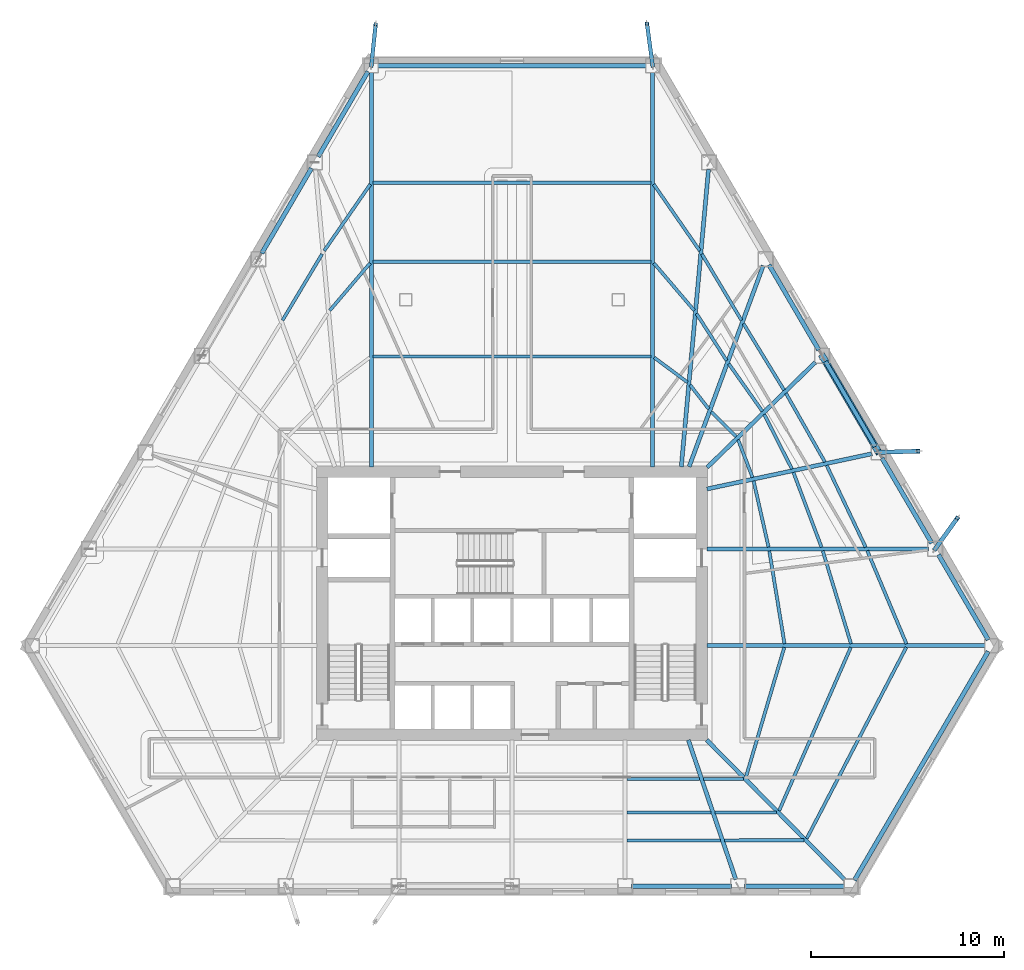
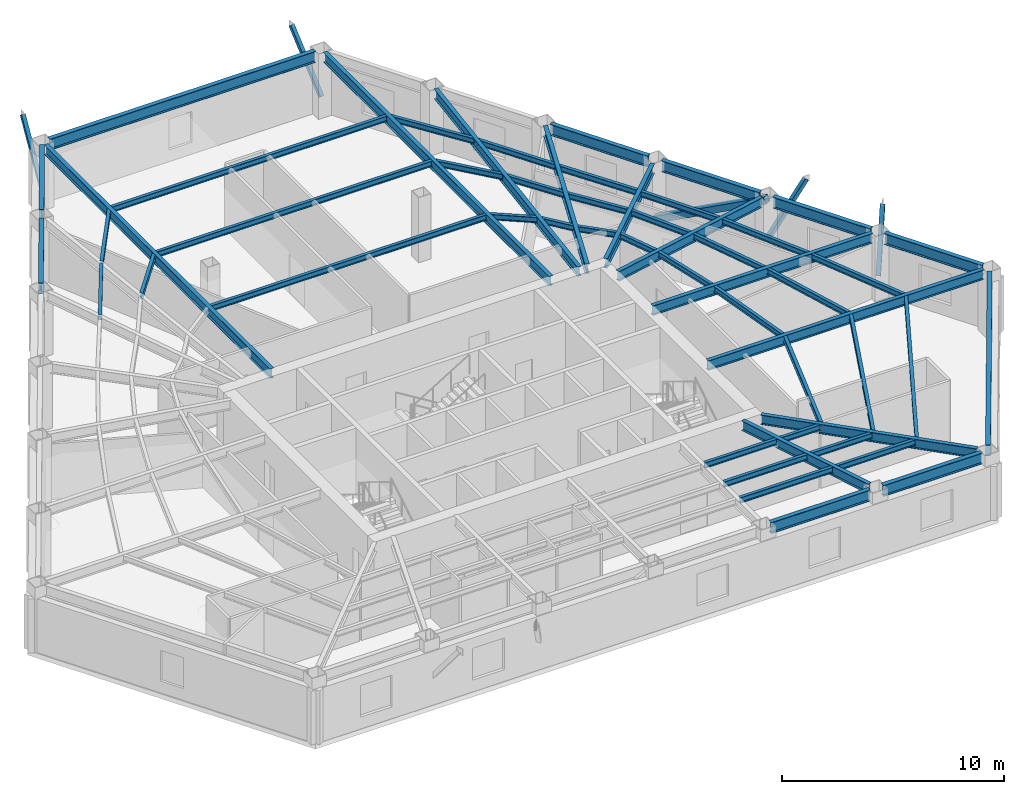
# One storey, part 2 of 13: 53 beams, 5 members.
"""IFC4 building model written with IfcOpenShell, lengths in metres."""

from ifc_helpers import new_model, si_unit, direction, frame, origin, origin_2d, place, context, subcontext, project, spatial, hollow_rectangle, i_section, extrude, material, material_profile, profile_set, type_object, element, save


model = new_model("IFC4")

# Units and contexts
model_context = context("Model", 3, precision=1e-05, world=origin(), true_north=direction((0.0, 1.0)))
body_context = subcontext(model_context, "Body", "Model", "MODEL_VIEW")
ifc_project = project(units=[si_unit("LENGTHUNIT", "METRE"), si_unit("AREAUNIT", "SQUARE_METRE"), si_unit("VOLUMEUNIT", "CUBIC_METRE"), si_unit("PLANEANGLEUNIT", "RADIAN"), si_unit("MASSUNIT", "GRAM", prefix="KILO")], contexts=[model_context])

# Site, building, storey
site_placement = place(None, origin())
site = spatial("IfcSite", under=ifc_project, at=site_placement, CompositionType="ELEMENT")
building_placement = place(site_placement, origin())
building = spatial("IfcBuilding", under=site, at=building_placement, Name="Kavelnor Concourse Tower", CompositionType="ELEMENT")
storey_placement = place(building_placement, frame((0.0, 0.0, 59.89990234375)))
storey = spatial("IfcBuildingStorey", under=building, at=storey_placement, Name="L15", CompositionType="ELEMENT", Elevation=59.89990234375)

# Beams
ifc_material = material(Name="Steel Grade 350", Category="steel")
ifc_material_profile_1 = material_profile(ifc_material, i_section(OverallWidth=0.166015625, OverallDepth=0.306884765625, WebThickness=0.006591796875, FlangeThickness=0.01171875, at=origin_2d()), Name="310UB46")
ifc_profile_set_1 = profile_set([ifc_material_profile_1], Name="Steel Grade 350")
beam_type_1 = type_object("IfcBeamType", Name="BM-JOIST-310", PredefinedType="JOIST", material=ifc_profile_set_1)
beam_1_placement = place(storey_placement, frame((43.9423828125, 7.01904296875, 3.4365234375), z_axis=(0.999999981065, -0.000194603006, 0.0), x_axis=(0.000194603006, 0.999999981065, 0.0)))
element("IfcBeam", 1, at=beam_1_placement, inside=storey, type_object=beam_type_1, Name="L15 Secondary Composite Joist 06-1", PredefinedType="JOIST", context=body_context, shape_type="SweptSolid", body=[
    extrude(i_section(OverallWidth=0.166015625, OverallDepth=0.306884765625, WebThickness=0.006591796875, FlangeThickness=0.01171875, at=origin_2d()), origin(), (0.0, 0.0, 1.0), 3.763671875),
])
beam_2_placement = place(storey_placement, frame((43.9423828125, 5.286865234375, 3.4365234375), z_axis=(1.0, 0.0, 0.0), x_axis=(0.0, 1.0, 0.0)))
element("IfcBeam", 2, at=beam_2_placement, inside=storey, type_object=beam_type_1, Name="L15 Secondary Composite Joist 06-2", PredefinedType="JOIST", context=body_context, shape_type="SweptSolid", body=[
    extrude(i_section(OverallWidth=0.166015625, OverallDepth=0.306884765625, WebThickness=0.006591796875, FlangeThickness=0.01171875, at=origin_2d()), origin(), (0.0, 0.0, 1.0), 4.352783203125),
])
beam_3_placement = place(storey_placement, frame((43.9423828125, 3.84326171875, 3.4365234375), z_axis=(0.999999979674, 0.000201623062, 0.0), x_axis=(-0.000201623062, 0.999999979674, 0.0)))
element("IfcBeam", 3, at=beam_3_placement, inside=storey, type_object=beam_type_1, Name="L15 Secondary Composite Joist 06-3", PredefinedType="JOIST", context=body_context, shape_type="SweptSolid", body=[
    extrude(i_section(OverallWidth=0.166015625, OverallDepth=0.306884765625, WebThickness=0.006591796875, FlangeThickness=0.01171875, at=origin_2d()), origin(), (0.0, 0.0, 1.0), 4.843505859375),
])
beam_4_placement = place(storey_placement, frame((47.903076171875, 7.01806640625, 3.4365234375), z_axis=(0.999998208623, -0.001892815727, 0.0), x_axis=(0.001892815727, 0.999998208623, 0.0)))
element("IfcBeam", 4, at=beam_4_placement, inside=storey, type_object=beam_type_1, Name="L15 Secondary Composite Joist 07-1", PredefinedType="JOIST", context=body_context, shape_type="SweptSolid", body=[
    extrude(i_section(OverallWidth=0.166015625, OverallDepth=0.306884765625, WebThickness=0.006591796875, FlangeThickness=0.01171875, at=origin_2d()), origin(), (0.0, 0.0, 1.0), 2.063720703125),
])
beam_5_placement = place(storey_placement, frame((48.4921875, 5.286865234375, 3.4365234375), z_axis=(0.999999988218, 0.000153503721, 0.0), x_axis=(-0.000153503721, 0.999999988218, 0.0)))
element("IfcBeam", 5, at=beam_5_placement, inside=storey, type_object=beam_type_1, Name="L15 Secondary Composite Joist 07-2", PredefinedType="JOIST", context=body_context, shape_type="SweptSolid", body=[
    extrude(i_section(OverallWidth=0.166015625, OverallDepth=0.306884765625, WebThickness=0.006591796875, FlangeThickness=0.01171875, at=origin_2d()), origin(), (0.0, 0.0, 1.0), 3.180908203125),
])
beam_6_placement = place(storey_placement, frame((48.98291015625, 3.84423828125, 3.4365234375), z_axis=(0.999999490696, 0.001009260944, 0.0), x_axis=(-0.001009260944, 0.999999490696, 0.0)))
element("IfcBeam", 6, at=beam_6_placement, inside=storey, type_object=beam_type_1, Name="L15 Secondary Composite Joist 07-3", PredefinedType="JOIST", context=body_context, shape_type="SweptSolid", body=[
    extrude(i_section(OverallWidth=0.166015625, OverallDepth=0.306884765625, WebThickness=0.006591796875, FlangeThickness=0.01171875, at=origin_2d()), origin(), (0.0, 0.0, 1.0), 4.1123046875),
])
beam_7_placement = place(storey_placement, frame((50.093017578125, 7.1083984375, 3.4365234375), z_axis=(0.283688073885, 0.958916616154, 0.0), x_axis=(-0.958916616154, 0.283688073885, 0.0)))
element("IfcBeam", 7, at=beam_7_placement, inside=storey, type_object=beam_type_1, Name="L15 Secondary Composite Joist 08-1", PredefinedType="JOIST", context=body_context, shape_type="SweptSolid", body=[
    extrude(i_section(OverallWidth=0.166015625, OverallDepth=0.306884765625, WebThickness=0.006591796875, FlangeThickness=0.01171875, at=origin_2d()), origin(), (0.0, 0.0, 1.0), 6.999267578125),
])
beam_8_placement = place(storey_placement, frame((51.811279296875, 5.37744140625, 3.4365234375), z_axis=(0.401848798596, 0.91570603529, 0.0), x_axis=(-0.91570603529, 0.401848798596, 0.0)))
element("IfcBeam", 8, at=beam_8_placement, inside=storey, type_object=beam_type_1, Name="L15 Secondary Composite Joist 08-2", PredefinedType="JOIST", context=body_context, shape_type="SweptSolid", body=[
    extrude(i_section(OverallWidth=0.166015625, OverallDepth=0.306884765625, WebThickness=0.006591796875, FlangeThickness=0.01171875, at=origin_2d()), origin(), (0.0, 0.0, 1.0), 9.224365234375),
])
beam_9_placement = place(storey_placement, frame((53.2392578125, 3.935791015625, 3.4365234375), z_axis=(0.461735279655, 0.887017774073, 0.0), x_axis=(-0.887017774073, 0.461735279655, 0.0)))
element("IfcBeam", 9, at=beam_9_placement, inside=storey, type_object=beam_type_1, Name="L15 Secondary Composite Joist 08-3", PredefinedType="JOIST", context=body_context, shape_type="SweptSolid", body=[
    extrude(i_section(OverallWidth=0.166015625, OverallDepth=0.306884765625, WebThickness=0.006591796875, FlangeThickness=0.01171875, at=origin_2d()), origin(), (0.0, 0.0, 1.0), 11.1513671875),
])
beam_10_placement = place(storey_placement, frame((52.090576171875, 14.01171875, 3.4365234375), z_axis=(-0.161558755717, 0.98686309509, 0.0), x_axis=(-0.98686309509, -0.161558755717, 0.0)))
element("IfcBeam", 10, at=beam_10_placement, inside=storey, type_object=beam_type_1, Name="L15 Secondary Composite Joist 09-1", PredefinedType="JOIST", context=body_context, shape_type="SweptSolid", body=[
    extrude(i_section(OverallWidth=0.166015625, OverallDepth=0.306884765625, WebThickness=0.006591796875, FlangeThickness=0.01171875, at=origin_2d()), origin(), (0.0, 0.0, 1.0), 4.865966796875),
])
beam_11_placement = place(storey_placement, frame((55.529052734375, 14.0087890625, 3.4365234375), z_axis=(-0.290858092151, 0.956766204582, 0.0), x_axis=(-0.956766204582, -0.290858092151, 0.0)))
element("IfcBeam", 11, at=beam_11_placement, inside=storey, type_object=beam_type_1, Name="L15 Secondary Composite Joist 09-2", PredefinedType="JOIST", context=body_context, shape_type="SweptSolid", body=[
    extrude(i_section(OverallWidth=0.166015625, OverallDepth=0.306884765625, WebThickness=0.006591796875, FlangeThickness=0.01171875, at=origin_2d()), origin(), (0.0, 0.0, 1.0), 5.025390625),
])
beam_12_placement = place(storey_placement, frame((58.3955078125, 14.00537109375, 3.4365234375), z_axis=(-0.387977607449, 0.921668799579, 0.0), x_axis=(-0.921668799579, -0.387977607449, 0.0)))
element("IfcBeam", 12, at=beam_12_placement, inside=storey, type_object=beam_type_1, Name="L15 Secondary Composite Joist 09-3", PredefinedType="JOIST", context=body_context, shape_type="SweptSolid", body=[
    extrude(i_section(OverallWidth=0.166015625, OverallDepth=0.306884765625, WebThickness=0.006591796875, FlangeThickness=0.01171875, at=origin_2d()), origin(), (0.0, 0.0, 1.0), 5.22412109375),
])
beam_13_placement = place(storey_placement, frame((51.266845703125, 19.007080078125, 3.4365234375), z_axis=(-0.220763156499, 0.975327446929, 0.0), x_axis=(-0.975327446929, -0.220763156499, 0.0)))
element("IfcBeam", 13, at=beam_13_placement, inside=storey, type_object=beam_type_1, Name="L15 Secondary Composite Joist 10-1", PredefinedType="JOIST", context=body_context, shape_type="SweptSolid", body=[
    extrude(i_section(OverallWidth=0.166015625, OverallDepth=0.306884765625, WebThickness=0.006591796875, FlangeThickness=0.01171875, at=origin_2d()), origin(), (0.0, 0.0, 1.0), 3.505615234375),
])
beam_14_placement = place(storey_placement, frame((54.004150390625, 19.003173828125, 3.4365234375), z_axis=(-0.351285488189, 0.936268394098, 0.0), x_axis=(-0.936268394098, -0.351285488189, 0.0)))
element("IfcBeam", 14, at=beam_14_placement, inside=storey, type_object=beam_type_1, Name="L15 Secondary Composite Joist 10-2", PredefinedType="JOIST", context=body_context, shape_type="SweptSolid", body=[
    extrude(i_section(OverallWidth=0.166015625, OverallDepth=0.306884765625, WebThickness=0.006591796875, FlangeThickness=0.01171875, at=origin_2d()), origin(), (0.0, 0.0, 1.0), 4.12744140625),
])
beam_15_placement = place(storey_placement, frame((56.2880859375, 19.0, 3.4365234375), z_axis=(-0.430254691254, 0.902707538827, 0.0), x_axis=(-0.902707538827, -0.430254691254, 0.0)))
element("IfcBeam", 15, at=beam_15_placement, inside=storey, type_object=beam_type_1, Name="L15 Secondary Composite Joist 10-3", PredefinedType="JOIST", context=body_context, shape_type="SweptSolid", body=[
    extrude(i_section(OverallWidth=0.166015625, OverallDepth=0.306884765625, WebThickness=0.006591796875, FlangeThickness=0.01171875, at=origin_2d()), origin(), (0.0, 0.0, 1.0), 4.692138671875),
])
beam_16_placement = place(storey_placement, frame((50.435791015625, 22.614501953125, 3.4365234375), z_axis=(-0.356965881826, 0.934117422604, 0.0), x_axis=(-0.934117422604, -0.356965881826, 0.0)))
element("IfcBeam", 16, at=beam_16_placement, inside=storey, type_object=beam_type_1, Name="L15 Secondary Composite Joist 11-1", PredefinedType="JOIST", context=body_context, shape_type="SweptSolid", body=[
    extrude(i_section(OverallWidth=0.166015625, OverallDepth=0.306884765625, WebThickness=0.006591796875, FlangeThickness=0.01171875, at=origin_2d()), origin(), (0.0, 0.0, 1.0), 2.081298828125),
])
beam_17_placement = place(storey_placement, frame((52.47509765625, 23.047607421875, 3.4365234375), z_axis=(-0.452395721461, 0.891817308199, 0.0), x_axis=(-0.891817308199, -0.452395721461, 0.0)))
element("IfcBeam", 17, at=beam_17_placement, inside=storey, type_object=beam_type_1, Name="L15 Secondary Composite Joist 11-2", PredefinedType="JOIST", context=body_context, shape_type="SweptSolid", body=[
    extrude(i_section(OverallWidth=0.166015625, OverallDepth=0.306884765625, WebThickness=0.006591796875, FlangeThickness=0.01171875, at=origin_2d()), origin(), (0.0, 0.0, 1.0), 3.161376953125),
])
beam_18_placement = place(storey_placement, frame((54.17822265625, 23.41015625, 3.4365234375), z_axis=(-0.493298169198, 0.869860285486, 0.0), x_axis=(-0.869860285486, -0.493298169198, 0.0)))
element("IfcBeam", 18, at=beam_18_placement, inside=storey, type_object=beam_type_1, Name="L15 Secondary Composite Joist 11-3", PredefinedType="JOIST", context=body_context, shape_type="SweptSolid", body=[
    extrude(i_section(OverallWidth=0.166015625, OverallDepth=0.306884765625, WebThickness=0.006591796875, FlangeThickness=0.01171875, at=origin_2d()), origin(), (0.0, 0.0, 1.0), 4.076171875),
])
beam_19_placement = place(storey_placement, frame((49.587890625, 24.72021484375, 3.4365234375), z_axis=(-0.707979461458, 0.706233022559, 0.0), x_axis=(-0.706233022559, -0.707979461458, 0.0)))
element("IfcBeam", 19, at=beam_19_placement, inside=storey, type_object=beam_type_1, Name="L15 Secondary Composite Joist 12-1", PredefinedType="JOIST", context=body_context, shape_type="SweptSolid", body=[
    extrude(i_section(OverallWidth=0.166015625, OverallDepth=0.306884765625, WebThickness=0.006591796875, FlangeThickness=0.01171875, at=origin_2d()), origin(), (0.0, 0.0, 1.0), 1.8173828125),
])
beam_20_placement = place(storey_placement, frame((50.943359375, 26.03515625, 3.4365234375), z_axis=(-0.577643036507, 0.81628948442, 0.0), x_axis=(-0.81628948442, -0.577643036507, 0.0)))
element("IfcBeam", 20, at=beam_20_placement, inside=storey, type_object=beam_type_1, Name="L15 Secondary Composite Joist 12-2", PredefinedType="JOIST", context=body_context, shape_type="SweptSolid", body=[
    extrude(i_section(OverallWidth=0.166015625, OverallDepth=0.306884765625, WebThickness=0.006591796875, FlangeThickness=0.01171875, at=origin_2d()), origin(), (0.0, 0.0, 1.0), 3.004638671875),
])
beam_21_placement = place(storey_placement, frame((52.067626953125, 27.12548828125, 3.4365234375), z_axis=(-0.521182756424, 0.853445097477, 0.0), x_axis=(-0.853445097477, -0.521182756424, 0.0)))
element("IfcBeam", 21, at=beam_21_placement, inside=storey, type_object=beam_type_1, Name="L15 Secondary Composite Joist 12-3", PredefinedType="JOIST", context=body_context, shape_type="SweptSolid", body=[
    extrude(i_section(OverallWidth=0.166015625, OverallDepth=0.306884765625, WebThickness=0.006591796875, FlangeThickness=0.01171875, at=origin_2d()), origin(), (0.0, 0.0, 1.0), 4.028076171875),
])
beam_22_placement = place(storey_placement, frame((48.171142578125, 26.151123046875, 3.4365234375), z_axis=(-0.612455179326, 0.790505315173, 0.0), x_axis=(-0.790505315173, -0.612455179326, 0.0)))
element("IfcBeam", 22, at=beam_22_placement, inside=storey, type_object=beam_type_1, Name="L15 Secondary Composite Joist 13-1", PredefinedType="JOIST", context=body_context, shape_type="SweptSolid", body=[
    extrude(i_section(OverallWidth=0.166015625, OverallDepth=0.306884765625, WebThickness=0.006591796875, FlangeThickness=0.01171875, at=origin_2d()), origin(), (0.0, 0.0, 1.0), 1.5712890625),
])
beam_23_placement = place(storey_placement, frame((49.09765625, 28.651123046875, 3.4365234375), z_axis=(-0.539334286911, 0.842091756855, 0.0), x_axis=(-0.842091756855, -0.539334286911, 0.0)))
element("IfcBeam", 23, at=beam_23_placement, inside=storey, type_object=beam_type_1, Name="L15 Secondary Composite Joist 13-2", PredefinedType="JOIST", context=body_context, shape_type="SweptSolid", body=[
    extrude(i_section(OverallWidth=0.166015625, OverallDepth=0.306884765625, WebThickness=0.006591796875, FlangeThickness=0.01171875, at=origin_2d()), origin(), (0.0, 0.0, 1.0), 2.888427734375),
])
beam_24_placement = place(storey_placement, frame((49.866455078125, 30.73193359375, 3.4365234375), z_axis=(-0.512597810874, 0.858628839655, 0.0), x_axis=(-0.858628839655, -0.512597810874, 0.0)))
element("IfcBeam", 24, at=beam_24_placement, inside=storey, type_object=beam_type_1, Name="L15 Secondary Composite Joist 13-3", PredefinedType="JOIST", context=body_context, shape_type="SweptSolid", body=[
    extrude(i_section(OverallWidth=0.166015625, OverallDepth=0.306884765625, WebThickness=0.006591796875, FlangeThickness=0.01171875, at=origin_2d()), origin(), (0.0, 0.0, 1.0), 3.994140625),
])
beam_25_placement = place(storey_placement, frame((47.069580078125, 27.5302734375, 3.4365234375), z_axis=(-0.80155619785, 0.597919444146, 0.0), x_axis=(-0.597919444146, -0.80155619785, 0.0)))
element("IfcBeam", 25, at=beam_25_placement, inside=storey, type_object=beam_type_1, Name="L15 Secondary Composite Joist 14-1", PredefinedType="JOIST", context=body_context, shape_type="SweptSolid", body=[
    extrude(i_section(OverallWidth=0.166015625, OverallDepth=0.306884765625, WebThickness=0.006591796875, FlangeThickness=0.01171875, at=origin_2d()), origin(), (0.0, 0.0, 1.0), 2.142333984375),
])
beam_26_placement = place(storey_placement, frame((47.4228515625, 31.241455078125, 3.4365234375), z_axis=(-0.648450162485, 0.761257109506, 0.0), x_axis=(-0.761257109506, -0.648450162485, 0.0)))
element("IfcBeam", 26, at=beam_26_placement, inside=storey, type_object=beam_type_1, Name="L15 Secondary Composite Joist 14-2", PredefinedType="JOIST", context=body_context, shape_type="SweptSolid", body=[
    extrude(i_section(OverallWidth=0.166015625, OverallDepth=0.306884765625, WebThickness=0.006591796875, FlangeThickness=0.01171875, at=origin_2d()), origin(), (0.0, 0.0, 1.0), 3.216064453125),
])
beam_27_placement = place(storey_placement, frame((47.71240234375, 34.326904296875, 3.4365234375), z_axis=(-0.569886876822, 0.821723157533, 0.0), x_axis=(-0.821723157533, -0.569886876822, 0.0)))
element("IfcBeam", 27, at=beam_27_placement, inside=storey, type_object=beam_type_1, Name="L15 Secondary Composite Joist 14-3", PredefinedType="JOIST", context=body_context, shape_type="SweptSolid", body=[
    extrude(i_section(OverallWidth=0.166015625, OverallDepth=0.306884765625, WebThickness=0.006591796875, FlangeThickness=0.01171875, at=origin_2d()), origin(), (0.0, 0.0, 1.0), 4.18115234375),
])
for number, where, z_axis, x_axis, name in (
    (28, (45.1748046875, 28.870361328125, 3.4365234375), (-1.0, 0.0, 0.0), (0.0, -1.0, 0.0), "L15 Secondary Composite Joist 15-1"),
    (29, (45.1748046875, 33.764892578125, 3.4365234375), (-1.0, 0.0, 0.0), (0.0, -1.0, 0.0), "L15 Secondary Composite Joist 15-2"),
    (30, (45.1748046875, 37.843505859375, 3.4365234375), (-1.0, 0.0, 0.0), (0.0, -1.0, 0.0), "L15 Secondary Composite Joist 15-3"),
):
    element("IfcBeam", number, at=place(storey_placement, frame(where, z_axis=z_axis, x_axis=x_axis)), inside=storey, type_object=beam_type_1, Name=name, PredefinedType="JOIST", context=body_context, shape_type="SweptSolid", body=[
        extrude(i_section(OverallWidth=0.166015625, OverallDepth=0.306884765625, WebThickness=0.006591796875, FlangeThickness=0.01171875, at=origin_2d()), origin(), (0.0, 0.0, 1.0), 14.349609375),
    ])
beam_28_placement = place(storey_placement, frame((30.66259765625, 33.689697265625, 3.4365234375), z_axis=(-0.648450162485, -0.761257109506, 0.0), x_axis=(0.761257109506, -0.648450162485, 0.0)))
element("IfcBeam", 31, at=beam_28_placement, inside=storey, type_object=beam_type_1, Name="L15 Secondary Composite Joist 16-2", PredefinedType="JOIST", context=body_context, shape_type="SweptSolid", body=[
    extrude(i_section(OverallWidth=0.166015625, OverallDepth=0.306884765625, WebThickness=0.006591796875, FlangeThickness=0.01171875, at=origin_2d()), origin(), (0.0, 0.0, 1.0), 3.216064453125),
])
beam_29_placement = place(storey_placement, frame((30.67041015625, 37.7626953125, 3.4365234375), z_axis=(-0.569886876822, -0.821723157533, 0.0), x_axis=(0.821723157533, -0.569886876822, 0.0)))
element("IfcBeam", 32, at=beam_29_placement, inside=storey, type_object=beam_type_1, Name="L15 Secondary Composite Joist 16-3", PredefinedType="JOIST", context=body_context, shape_type="SweptSolid", body=[
    extrude(i_section(OverallWidth=0.166015625, OverallDepth=0.306884765625, WebThickness=0.006591796875, FlangeThickness=0.01171875, at=origin_2d()), origin(), (0.0, 0.0, 1.0), 4.18115234375),
])
beam_30_placement = place(storey_placement, frame((28.180908203125, 34.161376953125, 3.4365234375), z_axis=(-0.512597810874, -0.858628839655, 0.0), x_axis=(0.858628839655, -0.512597810874, 0.0)))
element("IfcBeam", 33, at=beam_30_placement, inside=storey, type_object=beam_type_1, Name="L15 Secondary Composite Joist 17-3", PredefinedType="JOIST", context=body_context, shape_type="SweptSolid", body=[
    extrude(i_section(OverallWidth=0.166015625, OverallDepth=0.306884765625, WebThickness=0.006591796875, FlangeThickness=0.01171875, at=origin_2d()), origin(), (0.0, 0.0, 1.0), 3.994140625),
])
ifc_material_profile_2 = material_profile(ifc_material, i_section(OverallWidth=0.208984375, OverallDepth=0.528076171875, WebThickness=0.009521484375, FlangeThickness=0.01318359375, at=origin_2d()), Name="530UB82")
ifc_profile_set_2 = profile_set([ifc_material_profile_2], Name="Steel Grade 350")
beam_type_2 = type_object("IfcBeamType", Name="BM-PRIMARY-530", PredefinedType="BEAM", material=ifc_profile_set_2)
beam_31_placement = place(storey_placement, frame((30.7265625, 23.159912109375, 3.326171875), z_axis=(0.0, 1.0, 0.0), x_axis=(-1.0, 0.0, 0.0)))
element("IfcBeam", 34, at=beam_31_placement, inside=storey, type_object=beam_type_2, Name="L15 Primary Floor Girder F0-B0", PredefinedType="BEAM", context=body_context, shape_type="SweptSolid", body=[
    extrude(i_section(OverallWidth=0.208984375, OverallDepth=0.528076171875, WebThickness=0.009521484375, FlangeThickness=0.01318359375, at=origin_2d()), origin(), (0.0, 0.0, 1.0), 20.393798828125),
])
beam_32_placement = place(storey_placement, frame((47.117431640625, 9.037841796875, 3.326171875), z_axis=(0.32208539722, -0.946710619407, 0.0), x_axis=(0.946710619407, 0.32208539722, 0.0)))
element("IfcBeam", 35, at=beam_32_placement, inside=storey, type_object=beam_type_2, Name="L15 Primary Floor Girder F1-B5", PredefinedType="BEAM", context=body_context, shape_type="SweptSolid", body=[
    extrude(i_section(OverallWidth=0.208984375, OverallDepth=0.528076171875, WebThickness=0.009521484375, FlangeThickness=0.01318359375, at=origin_2d()), origin(), (0.0, 0.0, 1.0), 7.619384765625),
])
beam_33_placement = place(storey_placement, frame((48.07421875, 9.028564453125, 3.326171875), z_axis=(0.702931098161, -0.711257949859, 0.0), x_axis=(0.711257949859, 0.702931098161, 0.0)))
element("IfcBeam", 36, at=beam_33_placement, inside=storey, type_object=beam_type_2, Name="L15 Primary Floor Girder F1-B6", PredefinedType="BEAM", context=body_context, shape_type="SweptSolid", body=[
    extrude(i_section(OverallWidth=0.208984375, OverallDepth=0.528076171875, WebThickness=0.009521484375, FlangeThickness=0.01318359375, at=origin_2d()), origin(), (0.0, 0.0, 1.0), 10.115234375),
])
beam_34_placement = place(storey_placement, frame((48.080078125, 13.91455078125, 3.326171875), z_axis=(1.0, 0.0, 0.0), x_axis=(0.0, 1.0, 0.0)))
element("IfcBeam", 37, at=beam_34_placement, inside=storey, type_object=beam_type_2, Name="L15 Primary Floor Girder F2-B0", PredefinedType="BEAM", context=body_context, shape_type="SweptSolid", body=[
    extrude(i_section(OverallWidth=0.208984375, OverallDepth=0.528076171875, WebThickness=0.009521484375, FlangeThickness=0.01318359375, at=origin_2d()), origin(), (0.0, 0.0, 1.0), 14.380126953125),
])
beam_35_placement = place(storey_placement, frame((48.080078125, 18.910888671875, 3.326171875), z_axis=(1.0, 0.0, 0.0), x_axis=(0.0, 1.0, 0.0)))
element("IfcBeam", 38, at=beam_35_placement, inside=storey, type_object=beam_type_2, Name="L15 Primary Floor Girder F2-B1", PredefinedType="BEAM", context=body_context, shape_type="SweptSolid", body=[
    extrude(i_section(OverallWidth=0.208984375, OverallDepth=0.528076171875, WebThickness=0.009521484375, FlangeThickness=0.01318359375, at=origin_2d()), origin(), (0.0, 0.0, 1.0), 11.458984375),
])
beam_36_placement = place(storey_placement, frame((48.080810546875, 22.011962890625, 3.326171875), z_axis=(0.977952791585, 0.208826093753, 0.0), x_axis=(-0.208826093753, 0.977952791585, 0.0)))
element("IfcBeam", 39, at=beam_36_placement, inside=storey, type_object=beam_type_2, Name="L15 Primary Floor Girder F2-B2", PredefinedType="BEAM", context=body_context, shape_type="SweptSolid", body=[
    extrude(i_section(OverallWidth=0.208984375, OverallDepth=0.528076171875, WebThickness=0.009521484375, FlangeThickness=0.01318359375, at=origin_2d()), origin(), (0.0, 0.0, 1.0), 8.728515625),
])
beam_37_placement = place(storey_placement, frame((48.09130859375, 23.129150390625, 3.326171875), z_axis=(0.717300391038, 0.696764055485, 0.0), x_axis=(-0.696764055485, 0.717300391038, 0.0)))
element("IfcBeam", 40, at=beam_37_placement, inside=storey, type_object=beam_type_2, Name="L15 Primary Floor Girder F2-B3", PredefinedType="BEAM", context=body_context, shape_type="SweptSolid", body=[
    extrude(i_section(OverallWidth=0.208984375, OverallDepth=0.528076171875, WebThickness=0.009521484375, FlangeThickness=0.01318359375, at=origin_2d()), origin(), (0.0, 0.0, 1.0), 7.798583984375),
])
beam_38_placement = place(storey_placement, frame((47.158935546875, 23.16259765625, 3.326171875), z_axis=(0.34575641905, 0.938324303578, 0.0), x_axis=(-0.938324303578, 0.34575641905, 0.0)))
element("IfcBeam", 41, at=beam_38_placement, inside=storey, type_object=beam_type_2, Name="L15 Primary Floor Girder F2-B4", PredefinedType="BEAM", context=body_context, shape_type="SweptSolid", body=[
    extrude(i_section(OverallWidth=0.208984375, OverallDepth=0.528076171875, WebThickness=0.009521484375, FlangeThickness=0.01318359375, at=origin_2d()), origin(), (0.0, 0.0, 1.0), 11.078857421875),
])
beam_39_placement = place(storey_placement, frame((46.753662109375, 23.16015625, 3.326171875), z_axis=(0.091174988276, 0.995834886672, 0.0), x_axis=(-0.995834886672, 0.091174988276, 0.0)))
element("IfcBeam", 42, at=beam_39_placement, inside=storey, type_object=beam_type_2, Name="L15 Primary Floor Girder F2-B5", PredefinedType="BEAM", context=body_context, shape_type="SweptSolid", body=[
    extrude(i_section(OverallWidth=0.208984375, OverallDepth=0.528076171875, WebThickness=0.009521484375, FlangeThickness=0.01318359375, at=origin_2d()), origin(), (0.0, 0.0, 1.0), 15.461181640625),
])
beam_40_placement = place(storey_placement, frame((45.2734375, 23.159912109375, 3.326171875), z_axis=(0.0, 1.0, 0.0), x_axis=(-1.0, 0.0, 0.0)))
element("IfcBeam", 43, at=beam_40_placement, inside=storey, type_object=beam_type_2, Name="L15 Primary Floor Girder F2-B6", PredefinedType="BEAM", context=body_context, shape_type="SweptSolid", body=[
    extrude(i_section(OverallWidth=0.208984375, OverallDepth=0.528076171875, WebThickness=0.009521484375, FlangeThickness=0.01318359375, at=origin_2d()), origin(), (0.0, 0.0, 1.0), 20.393798828125),
])
ifc_material_profile_3 = material_profile(ifc_material, i_section(OverallWidth=0.22900390625, OverallDepth=0.612060546875, WebThickness=0.011962890625, FlangeThickness=0.01953125, at=origin_2d()), Name="610UB125")
ifc_profile_set_3 = profile_set([ifc_material_profile_3], Name="Steel Grade 350")
beam_type_3 = type_object("IfcBeamType", Name="BM-SPANDREL-Z1", PredefinedType="SPANDREL", material=ifc_profile_set_3)
beam_41_placement = place(storey_placement, frame((30.552490234375, 43.595947265625, 3.2841796875), z_axis=(-0.504722395318, -0.863281705855, 0.0), x_axis=(0.863281705855, -0.504722395318, 0.0)))
element("IfcBeam", 44, at=beam_41_placement, inside=storey, type_object=beam_type_3, Name="L15 Perimeter Tube Spandrel Beam F0-B0", PredefinedType="SPANDREL", context=body_context, shape_type="SweptSolid", body=[
    extrude(i_section(OverallWidth=0.22900390625, OverallDepth=0.612060546875, WebThickness=0.011962890625, FlangeThickness=0.01953125, at=origin_2d()), origin(), (0.0, 0.0, 1.0), 5.097900390625),
])
beam_42_placement = place(storey_placement, frame((27.63134765625, 38.599365234375, 3.2841796875), z_axis=(-0.504686703063, -0.863302572538, 0.0), x_axis=(0.863302572538, -0.504686703063, 0.0)))
element("IfcBeam", 45, at=beam_42_placement, inside=storey, type_object=beam_type_3, Name="L15 Perimeter Tube Spandrel Beam F0-B1", PredefinedType="SPANDREL", context=body_context, shape_type="SweptSolid", body=[
    extrude(i_section(OverallWidth=0.22900390625, OverallDepth=0.612060546875, WebThickness=0.011962890625, FlangeThickness=0.01953125, at=origin_2d()), origin(), (0.0, 0.0, 1.0), 5.09765625),
])
beam_43_placement = place(storey_placement, frame((44.928466796875, 43.893798828125, 3.2841796875), z_axis=(-1.0, 0.0, 0.0), x_axis=(0.0, -1.0, 0.0)))
element("IfcBeam", 46, at=beam_43_placement, inside=storey, type_object=beam_type_3, Name="L15 Chamfer Facet Spandrel Beam C0", PredefinedType="SPANDREL", context=body_context, shape_type="SweptSolid", body=[
    extrude(i_section(OverallWidth=0.22900390625, OverallDepth=0.612060546875, WebThickness=0.011962890625, FlangeThickness=0.01953125, at=origin_2d()), origin(), (0.0, 0.0, 1.0), 13.85693359375),
])
for number, where, z_axis, x_axis, name in (
    (47, (44.18896484375, 1.482421875, 3.2841796875), (1.0, 0.0, 0.0), (0.0, 1.0, 0.0), "L15 Perimeter Tube Spandrel Beam F1-B4"),
    (48, (50.032958984375, 1.482421875, 3.2841796875), (1.0, 0.0, 0.0), (0.0, 1.0, 0.0), "L15 Perimeter Tube Spandrel Beam F1-B5"),
):
    element("IfcBeam", number, at=place(storey_placement, frame(where, z_axis=z_axis, x_axis=x_axis)), inside=storey, type_object=beam_type_3, Name=name, PredefinedType="SPANDREL", context=body_context, shape_type="SweptSolid", body=[
        extrude(i_section(OverallWidth=0.22900390625, OverallDepth=0.612060546875, WebThickness=0.011962890625, FlangeThickness=0.01953125, at=origin_2d()), origin(), (0.0, 0.0, 1.0), 5.154052734375),
    ])
for number, where, z_axis, x_axis, name in (
    (49, (62.6259765625, 14.21240234375, 3.2841796875), (-0.504722395318, 0.863281705855, 0.0), (-0.863281705855, -0.504722395318, 0.0), "L15 Perimeter Tube Spandrel Beam F2-B0"),
    (50, (59.704833984375, 19.208740234375, 3.2841796875), (-0.504665837328, 0.863314770309, 0.0), (-0.863314770309, -0.504665837328, 0.0), "L15 Perimeter Tube Spandrel Beam F2-B1"),
):
    element("IfcBeam", number, at=place(storey_placement, frame(where, z_axis=z_axis, x_axis=x_axis)), inside=storey, type_object=beam_type_3, Name=name, PredefinedType="SPANDREL", context=body_context, shape_type="SweptSolid", body=[
        extrude(i_section(OverallWidth=0.22900390625, OverallDepth=0.612060546875, WebThickness=0.011962890625, FlangeThickness=0.01953125, at=origin_2d()), origin(), (0.0, 0.0, 1.0), 5.097900390625),
    ])
beam_44_placement = place(storey_placement, frame((56.78369140625, 24.205322265625, 3.2841796875), z_axis=(-0.504701529117, 0.863293905056, 0.0), x_axis=(-0.863293905056, -0.504701529117, 0.0)))
element("IfcBeam", 51, at=beam_44_placement, inside=storey, type_object=beam_type_3, Name="L15 Perimeter Tube Spandrel Beam F2-B2", PredefinedType="SPANDREL", context=body_context, shape_type="SweptSolid", body=[
    extrude(i_section(OverallWidth=0.22900390625, OverallDepth=0.612060546875, WebThickness=0.011962890625, FlangeThickness=0.01953125, at=origin_2d()), origin(), (0.0, 0.0, 1.0), 5.09814453125),
])
beam_45_placement = place(storey_placement, frame((53.862548828125, 29.201904296875, 3.2841796875), z_axis=(-0.504686703063, 0.863302572538, 0.0), x_axis=(-0.863302572538, -0.504686703063, 0.0)))
element("IfcBeam", 52, at=beam_45_placement, inside=storey, type_object=beam_type_3, Name="L15 Perimeter Tube Spandrel Beam F2-B3", PredefinedType="SPANDREL", context=body_context, shape_type="SweptSolid", body=[
    extrude(i_section(OverallWidth=0.22900390625, OverallDepth=0.612060546875, WebThickness=0.011962890625, FlangeThickness=0.01953125, at=origin_2d()), origin(), (0.0, 0.0, 1.0), 5.09765625),
])
beam_46_placement = place(storey_placement, frame((55.7060546875, 1.7802734375, 3.2841796875), z_axis=(0.504705570617, 0.863291542289, 0.0), x_axis=(-0.863291542289, 0.504705570617, 0.0)))
element("IfcBeam", 53, at=beam_46_placement, inside=storey, type_object=beam_type_3, Name="L15 Chamfer Facet Spandrel Beam C2", PredefinedType="SPANDREL", context=body_context, shape_type="SweptSolid", body=[
    extrude(i_section(OverallWidth=0.22900390625, OverallDepth=0.612060546875, WebThickness=0.011962890625, FlangeThickness=0.01953125, at=origin_2d()), origin(), (0.0, 0.0, 1.0), 13.710693359375),
])

# Members
ifc_material_profile_4 = material_profile(ifc_material, hollow_rectangle(XDim=0.219970703125, YDim=0.219970703125, WallThickness=0.013916015625, at=origin_2d()), Name="SHS 220x220x14")
ifc_profile_set_4 = profile_set([ifc_material_profile_4], Name="Steel Grade 350")
member_type_1 = type_object("IfcMemberType", Name="MBR-BALC-STRUT-220", PredefinedType="STRUT", material=ifc_profile_set_4)
member_1_placement = place(storey_placement, frame((59.87890625, 18.910888671875, 1.050048828125), z_axis=(0.352133182806, 0.490086887276, 0.797381379572), x_axis=(-0.812107061093, 0.583508458656, 0.0)))
element("IfcMember", 54, at=member_1_placement, inside=storey, type_object=member_type_1, Name="L15 Tree Balcony Raking Knee Strut 2-A", PredefinedType="STRUT", context=body_context, shape_type="SweptSolid", body=[
    extrude(hollow_rectangle(XDim=0.219970703125, YDim=0.219970703125, WallThickness=0.013916015625, at=origin_2d()), origin(), (0.0, 0.0, 1.0), 3.266845703125),
])
member_2_placement = place(storey_placement, frame((56.9580078125, 23.90771484375, 1.050048828125), z_axis=(0.61978118439, 0.018308875894, 0.784561067438), x_axis=(-0.02952798962, 0.999563953846, 0.0)))
element("IfcMember", 55, at=member_2_placement, inside=storey, type_object=member_type_1, Name="L15 Tree Balcony Raking Knee Strut 2-B", PredefinedType="STRUT", context=body_context, shape_type="SweptSolid", body=[
    extrude(hollow_rectangle(XDim=0.219970703125, YDim=0.219970703125, WallThickness=0.013916015625, at=origin_2d()), origin(), (0.0, 0.0, 1.0), 3.3203125),
])
ifc_material_profile_5 = material_profile(ifc_material, hollow_rectangle(XDim=0.199951171875, YDim=0.199951171875, WallThickness=0.011962890625, at=origin_2d()), Name="SHS 200x200x12")
ifc_profile_set_5 = profile_set([ifc_material_profile_5], Name="Steel Grade 350")
member_type_2 = type_object("IfcMemberType", Name="MBR-TERR-STRUT-200", PredefinedType="STRUT", material=ifc_profile_set_5)
member_3_placement = place(storey_placement, frame((45.2734375, 43.893798828125, 0.900146484375), z_axis=(-0.083930588497, 0.622253601474, 0.778303354591), x_axis=(-0.991025739069, -0.133671180526, 0.0)))
element("IfcMember", 56, at=member_3_placement, inside=storey, type_object=member_type_2, Name="L15 Spiral Terrace Raking Knee Strut C0-A", PredefinedType="STRUT", context=body_context, shape_type="SweptSolid", body=[
    extrude(hollow_rectangle(XDim=0.199951171875, YDim=0.199951171875, WallThickness=0.011962890625, at=origin_2d()), origin(), (0.0, 0.0, 1.0), 3.513916015625),
])
member_4_placement = place(storey_placement, frame((30.7265625, 43.893798828125, 0.900146484375), z_axis=(0.06460806504, 0.61724151411, 0.784116516336), x_axis=(-0.994566466808, 0.104103521078, 0.0)))
element("IfcMember", 57, at=member_4_placement, inside=storey, type_object=member_type_2, Name="L15 Spiral Terrace Raking Knee Strut C0-B", PredefinedType="STRUT", context=body_context, shape_type="SweptSolid", body=[
    extrude(hollow_rectangle(XDim=0.199951171875, YDim=0.199951171875, WallThickness=0.011962890625, at=origin_2d()), origin(), (0.0, 0.0, 1.0), 3.48779296875),
])
ifc_material_profile_6 = material_profile(ifc_material, hollow_rectangle(XDim=0.35009765625, YDim=0.35009765625, WallThickness=0.02001953125, at=origin_2d()), Name="SHS 350x350x20")
ifc_profile_set_6 = profile_set([ifc_material_profile_6], Name="Steel Grade 350")
member_type_3 = type_object("IfcMemberType", Name="MBR-TUBE-DIAG-Z1", PredefinedType="BRACE", material=ifc_profile_set_6)
member_5_placement = place(storey_placement, frame((54.03662109375, 28.904296875, 0.22021484375), z_axis=(0.446087522111, -0.762964000295, 0.467858800142), x_axis=(0.863273608241, 0.504736245295, 0.0)))
element("IfcMember", 58, at=member_5_placement, inside=storey, type_object=member_type_3, Name="L15 Framed-Tube Bracing Diagonal F2-B2", PredefinedType="BRACE", context=body_context, shape_type="SweptSolid", body=[
    extrude(hollow_rectangle(XDim=0.35009765625, YDim=0.35009765625, WallThickness=0.02001953125, at=origin_2d()), origin(), (0.0, 0.0, 1.0), 6.548828125),
])

save(model, "model.ifc")
